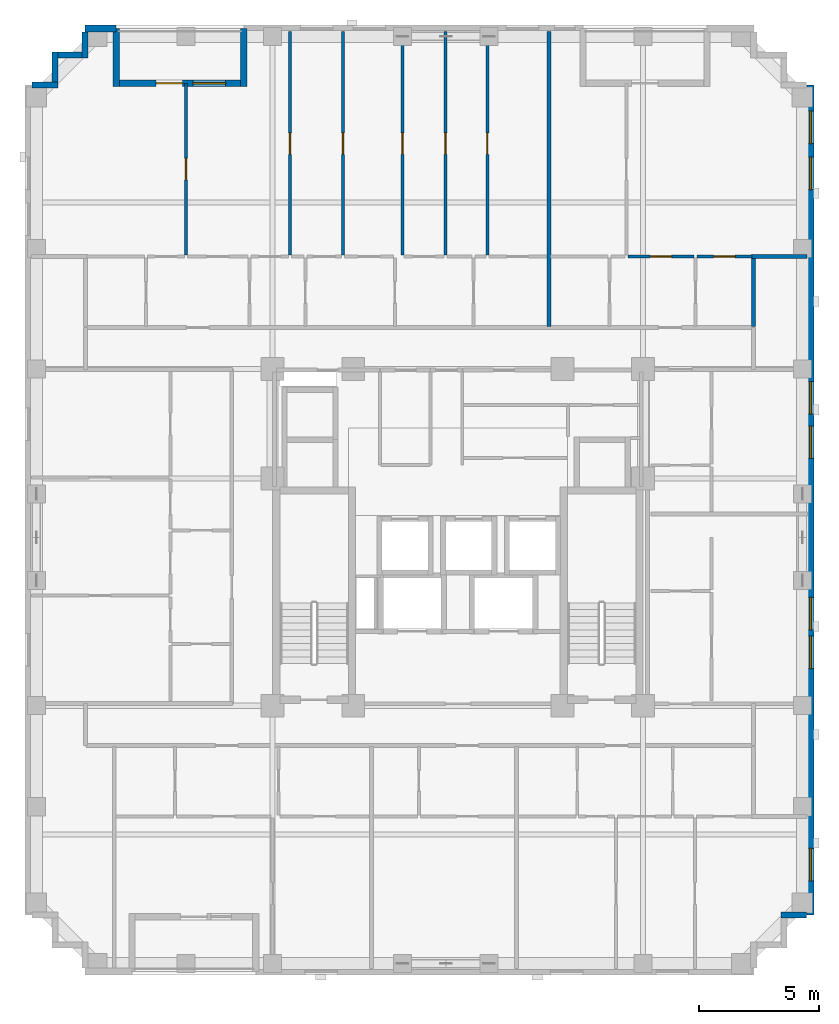
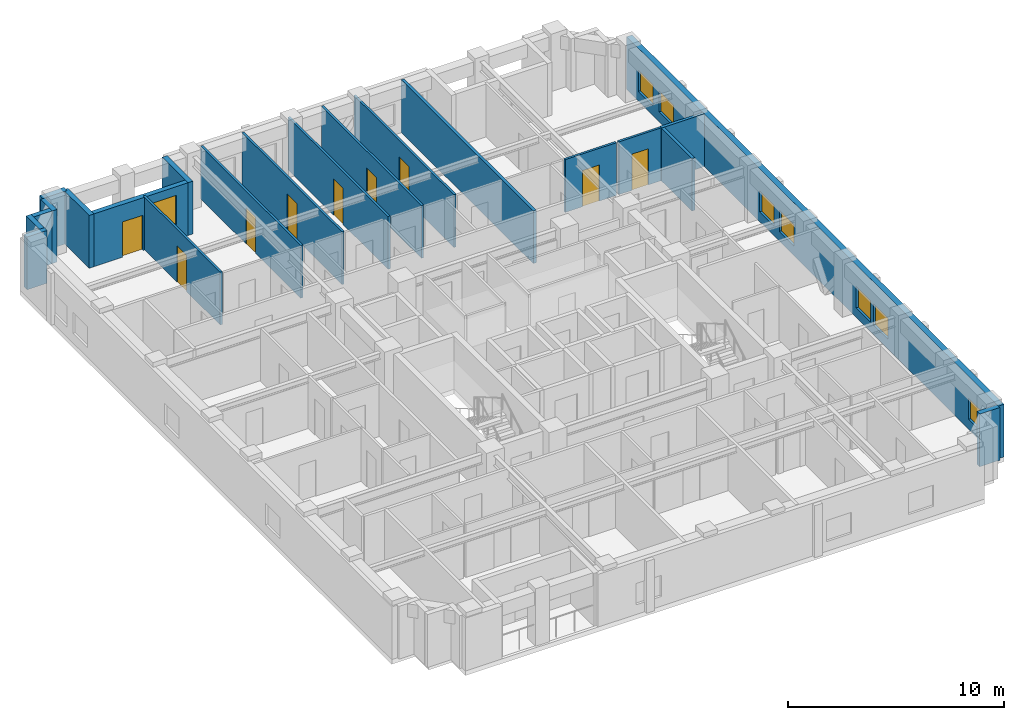
# One storey, part 7 of 11: 21 walls, 9 doors, 8 windows, 17 openings.
"""IFC4 building model written with IfcOpenShell, lengths in metres."""

from ifc_helpers import new_model, si_unit, derived_unit, direction, frame, frame_2d, origin, place, context, subcontext, project, spatial, rectangle, extrude, material, layer, layer_set, type_object, element, fill, save


model = new_model("IFC4")

# Units and contexts
model_context = context("Model", 3, precision=1e-05, world=origin(), true_north=direction((0.0, 1.0)))
body_context = subcontext(model_context, "Body", "Model", "MODEL_VIEW")
ifc_project = project(units=[si_unit("LENGTHUNIT", "METRE"), si_unit("AREAUNIT", "SQUARE_METRE"), si_unit("VOLUMEUNIT", "CUBIC_METRE"), si_unit("PLANEANGLEUNIT", "RADIAN"), si_unit("MASSUNIT", "GRAM", prefix="KILO"), derived_unit("THERMALTRANSMITTANCEUNIT", [(si_unit("MASSUNIT", "GRAM", prefix="KILO"), 1), (si_unit("TIMEUNIT", "SECOND"), -3), (si_unit("THERMODYNAMICTEMPERATUREUNIT", "KELVIN"), -1)])], contexts=[model_context])

# Site, building, storey
site_placement = place(None, origin())
site = spatial("IfcSite", under=ifc_project, at=site_placement, CompositionType="ELEMENT")
building_placement = place(site_placement, origin())
building = spatial("IfcBuilding", under=site, at=building_placement, Name="Korrvale Station Residences", CompositionType="ELEMENT")
storey_placement = place(building_placement, frame((0.0, 0.0, 137.39990234375)))
storey = spatial("IfcBuildingStorey", under=building, at=storey_placement, Name="L39", CompositionType="ELEMENT", Elevation=137.39990234375)

# Wall
ifc_material_1 = material(Name="Precast concrete C45/55", Category="concrete")
ifc_layer_1 = layer(ifc_material_1, 0.260009765625, Name="Precast concrete C45/55")
ifc_layer_set_1 = layer_set([ifc_layer_1], Name="Precast concrete C45/55")
wall_type_1 = type_object("IfcWallType", Name="WAL-EXT-LOG260", PredefinedType="SOLIDWALL", material=ifc_layer_set_1)
wall_1_placement = place(storey_placement, frame((11.300048828125, 43.139892578125, 0.0), z_axis=(0.0, 0.0, 1.0), x_axis=(0.0, -1.0, 0.0)))
element("IfcWall", 1, at=wall_1_placement, inside=storey, type_object=wall_type_1, Name="L39 Recessed Loggia Wall BAL-L39-N2-L", PredefinedType="SOLIDWALL", context=body_context, shape_type="SweptSolid", body=[
    extrude(rectangle(XDim=2.39990234375, YDim=0.260009765625, at=frame_2d((1.199951171875, 0.0))), origin(), (0.0, 0.0, 1.0), 2.989990234375),
])

# Wall, openings, door, window
wall_2_placement = place(storey_placement, frame((11.43408203125, 40.8701171875, 0.0), z_axis=(0.0, 0.0, 1.0), x_axis=(1.0, 0.0, 0.0)))
wall_2 = element("IfcWall", 2, at=wall_2_placement, inside=storey, type_object=wall_type_1, Name="L39 Recessed Loggia Wall BAL-L39-N2-B", PredefinedType="SOLIDWALL", context=body_context, shape_type="SweptSolid", body=[
    extrude(rectangle(XDim=5.031982421875, YDim=0.260009765625, at=frame_2d((2.51611328125, 0.0))), origin(), (0.0, 0.0, 1.0), 2.989990234375),
])
opening_1_placement = place(wall_2_placement, frame((1.52587890625, 0.0, 0.0)))
opening_1 = element("IfcOpeningElement", 3, at=opening_1_placement, cuts=wall_2, Name="Opening BD-01", PredefinedType="OPENING", context=body_context, shape_type="SweptSolid", body=[
    extrude(rectangle(XDim=1.10009765625, YDim=2.0, at=frame_2d((0.550048828125, 1.0))), frame((0.0, 0.14013671875, 0.0), z_axis=(0.0, -1.0, 0.0), x_axis=(1.0, 0.0, 0.0)), (0.0, 0.0, 1.0), 0.280029296875),
])
opening_2_placement = place(wall_2_placement, frame((3.06103515625, 0.0, 0.85009765625)))
opening_2 = element("IfcOpeningElement", 4, at=opening_2_placement, cuts=wall_2, Name="Opening W-06", PredefinedType="OPENING", context=body_context, shape_type="SweptSolid", body=[
    extrude(rectangle(XDim=1.35009765625, YDim=1.64990234375, at=frame_2d((0.675048828125, 0.824951171875))), frame((0.0, 0.14013671875, 0.0), z_axis=(0.0, -1.0, 0.0), x_axis=(1.0, 0.0, 0.0)), (0.0, 0.0, 1.0), 0.280029296875),
])
ifc_material_2 = material(Name="Exterior thermally broken aluminium glazed balcony door", Category="aluminium")
door_type_1 = type_object("IfcDoorType", Name="DR-EXT-BAL", OperationType="NOTDEFINED", PredefinedType="DOOR", material=ifc_material_2)
door_1_placement = place(opening_1_placement, origin())
door_1 = element("IfcDoor", 5, at=door_1_placement, inside=storey, type_object=door_type_1, Name="L39 Loggia Balcony Door BAL-L39-N2", OperationType="SINGLE_SWING_RIGHT", OverallHeight=2.0, OverallWidth=1.10009765625, PredefinedType="DOOR", context=body_context, shape_type="SweptSolid", body=[
    extrude(rectangle(XDim=1.10009765625, YDim=2.0, at=frame_2d((0.550048828125, 1.0))), frame((0.0, 0.02490234375, 0.0), z_axis=(0.0, -1.0, 0.0), x_axis=(1.0, 0.0, 0.0)), (0.0, 0.0, 1.0), 0.050048828125),
])
fill(opening_1, door_1)
ifc_material_3 = material(Name="Thermally broken aluminium frame with triple low-e glazing", Category="aluminium")
window_type_1 = type_object("IfcWindowType", Name="WIN-W06", PartitioningType="SINGLE_PANEL", PredefinedType="WINDOW", material=ifc_material_3)
window_1_placement = place(opening_2_placement, origin())
window_1 = element("IfcWindow", 6, at=window_1_placement, inside=storey, type_object=window_type_1, Name="L39 Punched Window 08", OverallHeight=1.64990234375, OverallWidth=1.35009765625, PartitioningType="SINGLE_PANEL", PredefinedType="WINDOW", context=body_context, shape_type="SweptSolid", body=[
    extrude(rectangle(XDim=1.35009765625, YDim=1.64990234375, at=frame_2d((0.675048828125, 0.824951171875))), frame((0.0, 0.030029296875, 0.0), z_axis=(0.0, -1.0, 0.0), x_axis=(1.0, 0.0, 0.0)), (0.0, 0.0, 1.0), 0.06005859375),
])
fill(opening_2, window_1)

# Walls
wall_3_placement = place(storey_placement, frame((16.60009765625, 40.739990234375, 0.0), z_axis=(0.0, 0.0, 1.0), x_axis=(0.0, 1.0, 0.0)))
element("IfcWall", 7, at=wall_3_placement, inside=storey, type_object=wall_type_1, Name="L39 Recessed Loggia Wall BAL-L39-N2-R", PredefinedType="SOLIDWALL", context=body_context, shape_type="SweptSolid", body=[
    extrude(rectangle(XDim=2.39990234375, YDim=0.260009765625, at=frame_2d((1.199951171875, 0.0))), origin(), (0.0, 0.0, 1.0), 2.989990234375),
])
wall_4_placement = place(storey_placement, frame((7.802001953125, 40.800048828125, 0.0), z_axis=(0.0, 0.0, 1.0), x_axis=(1.0, 0.0, 0.0)))
element("IfcWall", 8, at=wall_4_placement, inside=storey, type_object=wall_type_1, Name="L39 Serrated Corner Precast Step NW-1", PredefinedType="SOLIDWALL", context=body_context, shape_type="SweptSolid", body=[
    extrude(rectangle(XDim=1.077880859375, YDim=0.260009765625, at=frame_2d((0.5390625, 0.0))), origin(), (0.0, 0.0, 1.0), 2.989990234375),
])
wall_5_placement = place(storey_placement, frame((8.75, 40.931884765625, 0.0), z_axis=(0.0, 0.0, 1.0), x_axis=(0.0, 1.0, 0.0)))
element("IfcWall", 9, at=wall_5_placement, inside=storey, type_object=wall_type_1, Name="L39 Serrated Corner Precast Step NW-2", PredefinedType="SOLIDWALL", context=body_context, shape_type="SweptSolid", body=[
    extrude(rectangle(XDim=1.248046875, YDim=0.260009765625, at=frame_2d((0.6240234375, 0.0))), origin(), (0.0, 0.0, 1.0), 2.989990234375),
])
wall_6_placement = place(storey_placement, frame((8.882080078125, 42.050048828125, 0.0), z_axis=(0.0, 0.0, 1.0), x_axis=(1.0, 0.0, 0.0)))
element("IfcWall", 10, at=wall_6_placement, inside=storey, type_object=wall_type_1, Name="L39 Serrated Corner Precast Step NW-3", PredefinedType="SOLIDWALL", context=body_context, shape_type="SweptSolid", body=[
    extrude(rectangle(XDim=0.98583984375, YDim=0.260009765625, at=frame_2d((0.492919921875, 0.0))), origin(), (0.0, 0.0, 1.0), 2.989990234375),
])
for number, where, z_axis, x_axis, name in (
    (11, (10.0, 41.919921875, 0.0), (0.0, 0.0, 1.0), (0.0, 1.0, 0.0), "L39 Serrated Corner Precast Step NW-4"),
    (12, (39.998046875, 6.300048828125, 0.0), (0.0, 0.0, 1.0), (-1.0, 0.0, 0.0), "L39 Serrated Corner Precast Step SE-1"),
):
    element("IfcWall", number, at=place(storey_placement, frame(where, z_axis=z_axis, x_axis=x_axis)), inside=storey, type_object=wall_type_1, Name=name, PredefinedType="SOLIDWALL", context=body_context, shape_type="SweptSolid", body=[
        extrude(rectangle(XDim=1.078125, YDim=0.260009765625, at=frame_2d((0.5390625, 0.0))), origin(), (0.0, 0.0, 1.0), 2.989990234375),
    ])
ifc_layer_2 = layer(ifc_material_1, 0.300048828125, Name="Precast concrete C45/55")
ifc_layer_set_2 = layer_set([ifc_layer_2], Name="Precast concrete C45/55")
wall_type_2 = type_object("IfcWallType", Name="WAL-EXT-PC300", PredefinedType="SOLIDWALL", material=ifc_layer_set_2)
wall_7_placement = place(storey_placement, frame((10.0, 43.14990234375, 0.0), z_axis=(0.0, 0.0, 1.0), x_axis=(1.0, 0.0, 0.0)))
element("IfcWall", 13, at=wall_7_placement, inside=storey, type_object=wall_type_2, Name="L39 North Exterior Precast Wall 1", PredefinedType="SOLIDWALL", context=body_context, shape_type="SweptSolid", body=[
    extrude(rectangle(XDim=1.300048828125, YDim=0.300048828125, at=frame_2d((0.64990234375, 0.0))), origin(), (0.0, 0.0, 1.0), 2.989990234375),
])

# Wall, openings, windows
wall_8_placement = place(storey_placement, frame((40.14990234375, 40.800048828125, 0.0), z_axis=(0.0, 0.0, 1.0), x_axis=(0.0, -1.0, 0.0)))
wall_8 = element("IfcWall", 14, at=wall_8_placement, inside=storey, type_object=wall_type_2, Name="L39 East Exterior Precast Wall 1", PredefinedType="SOLIDWALL", context=body_context, shape_type="SweptSolid", body=[
    extrude(rectangle(XDim=34.5, YDim=0.300048828125, at=frame_2d((17.25, 0.0))), origin(), (0.0, 0.0, 1.0), 2.989990234375),
])
opening_3_placement = place(wall_8_placement, frame((31.72509765625, 0.0, 0.550048828125)))
opening_3 = element("IfcOpeningElement", 15, at=opening_3_placement, cuts=wall_8, Name="Opening W-10", PredefinedType="OPENING", context=body_context, shape_type="SweptSolid", body=[
    extrude(rectangle(XDim=1.35009765625, YDim=1.199951171875, at=frame_2d((0.675048828125, 0.60009765625))), frame((0.0, 0.16015625, 0.0), z_axis=(0.0, -1.0, 0.0), x_axis=(1.0, 0.0, 0.0)), (0.0, 0.0, 1.0), 0.320068359375),
])
opening_4_placement = place(wall_8_placement, frame((3.0, 0.0, 0.550048828125)))
opening_4 = element("IfcOpeningElement", 16, at=opening_4_placement, cuts=wall_8, Name="Opening W-10", PredefinedType="OPENING", context=body_context, shape_type="SweptSolid", body=[
    extrude(rectangle(XDim=1.35009765625, YDim=1.199951171875, at=frame_2d((0.675048828125, 0.60009765625))), frame((0.0, 0.16015625, 0.0), z_axis=(0.0, -1.0, 0.0), x_axis=(1.0, 0.0, 0.0)), (0.0, 0.0, 1.0), 0.320068359375),
])
opening_5_placement = place(wall_8_placement, frame((1.0849609375, 0.0, 0.550048828125)))
opening_5 = element("IfcOpeningElement", 17, at=opening_5_placement, cuts=wall_8, Name="Opening W-10", PredefinedType="OPENING", context=body_context, shape_type="SweptSolid", body=[
    extrude(rectangle(XDim=1.35009765625, YDim=1.199951171875, at=frame_2d((0.675048828125, 0.60009765625))), frame((0.0, 0.16015625, 0.0), z_axis=(0.0, -1.0, 0.0), x_axis=(1.0, 0.0, 0.0)), (0.0, 0.0, 1.0), 0.320068359375),
])
opening_6_placement = place(wall_8_placement, frame((21.300048828125, 0.0, 0.550048828125)))
opening_6 = element("IfcOpeningElement", 18, at=opening_6_placement, cuts=wall_8, Name="Opening W-10", PredefinedType="OPENING", context=body_context, shape_type="SweptSolid", body=[
    extrude(rectangle(XDim=1.35009765625, YDim=1.199951171875, at=frame_2d((0.675048828125, 0.60009765625))), frame((0.0, 0.16015625, 0.0), z_axis=(0.0, -1.0, 0.0), x_axis=(1.0, 0.0, 0.0)), (0.0, 0.0, 1.0), 0.320068359375),
])
opening_7_placement = place(wall_8_placement, frame((22.909912109375, 0.0, 0.550048828125)))
opening_7 = element("IfcOpeningElement", 19, at=opening_7_placement, cuts=wall_8, Name="Opening W-10", PredefinedType="OPENING", context=body_context, shape_type="SweptSolid", body=[
    extrude(rectangle(XDim=1.35009765625, YDim=1.199951171875, at=frame_2d((0.675048828125, 0.60009765625))), frame((0.0, 0.16015625, 0.0), z_axis=(0.0, -1.0, 0.0), x_axis=(1.0, 0.0, 0.0)), (0.0, 0.0, 1.0), 0.320068359375),
])
opening_8_placement = place(wall_8_placement, frame((14.175048828125, 0.0, 0.550048828125)))
opening_8 = element("IfcOpeningElement", 20, at=opening_8_placement, cuts=wall_8, Name="Opening W-10", PredefinedType="OPENING", context=body_context, shape_type="SweptSolid", body=[
    extrude(rectangle(XDim=1.35009765625, YDim=1.199951171875, at=frame_2d((0.675048828125, 0.60009765625))), frame((0.0, 0.16015625, 0.0), z_axis=(0.0, -1.0, 0.0), x_axis=(1.0, 0.0, 0.0)), (0.0, 0.0, 1.0), 0.320068359375),
])
opening_9_placement = place(wall_8_placement, frame((12.3349609375, 0.0, 0.550048828125)))
opening_9 = element("IfcOpeningElement", 21, at=opening_9_placement, cuts=wall_8, Name="Opening W-10", PredefinedType="OPENING", context=body_context, shape_type="SweptSolid", body=[
    extrude(rectangle(XDim=1.35009765625, YDim=1.199951171875, at=frame_2d((0.675048828125, 0.60009765625))), frame((0.0, 0.16015625, 0.0), z_axis=(0.0, -1.0, 0.0), x_axis=(1.0, 0.0, 0.0)), (0.0, 0.0, 1.0), 0.320068359375),
])
window_type_2 = type_object("IfcWindowType", Name="WIN-W10", PartitioningType="SINGLE_PANEL", PredefinedType="WINDOW", material=ifc_material_3)
window_2_placement = place(opening_3_placement, origin())
window_2 = element("IfcWindow", 22, at=window_2_placement, inside=storey, type_object=window_type_2, Name="L39 Punched Window 05", OverallHeight=1.199951171875, OverallWidth=1.35009765625, PartitioningType="SINGLE_PANEL", PredefinedType="WINDOW", context=body_context, shape_type="SweptSolid", body=[
    extrude(rectangle(XDim=1.35009765625, YDim=1.199951171875, at=frame_2d((0.675048828125, 0.60009765625))), frame((0.0, 0.030029296875, 0.0), z_axis=(0.0, -1.0, 0.0), x_axis=(1.0, 0.0, 0.0)), (0.0, 0.0, 1.0), 0.06005859375),
])
fill(opening_3, window_2)
window_3_placement = place(opening_4_placement, origin())
window_3 = element("IfcWindow", 23, at=window_3_placement, inside=storey, type_object=window_type_2, Name="L39 Punched Window 13", OverallHeight=1.199951171875, OverallWidth=1.35009765625, PartitioningType="SINGLE_PANEL", PredefinedType="WINDOW", context=body_context, shape_type="SweptSolid", body=[
    extrude(rectangle(XDim=1.35009765625, YDim=1.199951171875, at=frame_2d((0.675048828125, 0.60009765625))), frame((0.0, 0.030029296875, 0.0), z_axis=(0.0, -1.0, 0.0), x_axis=(1.0, 0.0, 0.0)), (0.0, 0.0, 1.0), 0.06005859375),
])
fill(opening_4, window_3)
window_4_placement = place(opening_5_placement, origin())
window_4 = element("IfcWindow", 24, at=window_4_placement, inside=storey, type_object=window_type_2, Name="L39 Punched Window 14", OverallHeight=1.199951171875, OverallWidth=1.35009765625, PartitioningType="SINGLE_PANEL", PredefinedType="WINDOW", context=body_context, shape_type="SweptSolid", body=[
    extrude(rectangle(XDim=1.35009765625, YDim=1.199951171875, at=frame_2d((0.675048828125, 0.60009765625))), frame((0.0, 0.030029296875, 0.0), z_axis=(0.0, -1.0, 0.0), x_axis=(1.0, 0.0, 0.0)), (0.0, 0.0, 1.0), 0.06005859375),
])
fill(opening_5, window_4)
window_5_placement = place(opening_6_placement, origin())
window_5 = element("IfcWindow", 25, at=window_5_placement, inside=storey, type_object=window_type_2, Name="L39 Punched Window 17", OverallHeight=1.199951171875, OverallWidth=1.35009765625, PartitioningType="SINGLE_PANEL", PredefinedType="WINDOW", context=body_context, shape_type="SweptSolid", body=[
    extrude(rectangle(XDim=1.35009765625, YDim=1.199951171875, at=frame_2d((0.675048828125, 0.60009765625))), frame((0.0, 0.030029296875, 0.0), z_axis=(0.0, -1.0, 0.0), x_axis=(1.0, 0.0, 0.0)), (0.0, 0.0, 1.0), 0.06005859375),
])
fill(opening_6, window_5)
window_6_placement = place(opening_7_placement, origin())
window_6 = element("IfcWindow", 26, at=window_6_placement, inside=storey, type_object=window_type_2, Name="L39 Punched Window 18", OverallHeight=1.199951171875, OverallWidth=1.35009765625, PartitioningType="SINGLE_PANEL", PredefinedType="WINDOW", context=body_context, shape_type="SweptSolid", body=[
    extrude(rectangle(XDim=1.35009765625, YDim=1.199951171875, at=frame_2d((0.675048828125, 0.60009765625))), frame((0.0, 0.030029296875, 0.0), z_axis=(0.0, -1.0, 0.0), x_axis=(1.0, 0.0, 0.0)), (0.0, 0.0, 1.0), 0.06005859375),
])
fill(opening_7, window_6)
window_7_placement = place(opening_8_placement, origin())
window_7 = element("IfcWindow", 27, at=window_7_placement, inside=storey, type_object=window_type_2, Name="L39 Punched Window 19", OverallHeight=1.199951171875, OverallWidth=1.35009765625, PartitioningType="SINGLE_PANEL", PredefinedType="WINDOW", context=body_context, shape_type="SweptSolid", body=[
    extrude(rectangle(XDim=1.35009765625, YDim=1.199951171875, at=frame_2d((0.675048828125, 0.60009765625))), frame((0.0, 0.030029296875, 0.0), z_axis=(0.0, -1.0, 0.0), x_axis=(1.0, 0.0, 0.0)), (0.0, 0.0, 1.0), 0.06005859375),
])
fill(opening_8, window_7)
window_8_placement = place(opening_9_placement, origin())
window_8 = element("IfcWindow", 28, at=window_8_placement, inside=storey, type_object=window_type_2, Name="L39 Punched Window 20", OverallHeight=1.199951171875, OverallWidth=1.35009765625, PartitioningType="SINGLE_PANEL", PredefinedType="WINDOW", context=body_context, shape_type="SweptSolid", body=[
    extrude(rectangle(XDim=1.35009765625, YDim=1.199951171875, at=frame_2d((0.675048828125, 0.60009765625))), frame((0.0, 0.030029296875, 0.0), z_axis=(0.0, -1.0, 0.0), x_axis=(1.0, 0.0, 0.0)), (0.0, 0.0, 1.0), 0.06005859375),
])
fill(opening_9, window_8)

# Wall, opening, door
ifc_material_4 = material(Name="Acoustic steel-stud gypsum board partition", Category="steel")
ifc_layer_3 = layer(ifc_material_4, 0.1201171875, Name="Acoustic steel-stud gypsum board partition")
ifc_layer_set_3 = layer_set([ifc_layer_3], Name="Acoustic steel-stud gypsum board partition")
wall_type_3 = type_object("IfcWallType", Name="WAL-PART-125", PredefinedType="PARTITIONING", material=ifc_layer_set_3)
wall_9_placement = place(storey_placement, frame((14.199951171875, 33.72998046875, 0.0), z_axis=(0.0, 0.0, 1.0), x_axis=(0.0, 1.0, 0.0)))
wall_9 = element("IfcWall", 29, at=wall_9_placement, inside=storey, type_object=wall_type_3, Name="L39 Suite Partition U04-V67", PredefinedType="PARTITIONING", context=body_context, shape_type="SweptSolid", body=[
    extrude(rectangle(XDim=7.14013671875, YDim=0.1201171875, at=frame_2d((3.570068359375, 0.0))), origin(), (0.0, 0.0, 1.0), 2.989990234375),
])
opening_10_placement = place(wall_9_placement, frame((3.1201171875, 0.0, 0.0)))
opening_10 = element("IfcOpeningElement", 30, at=opening_10_placement, cuts=wall_9, Name="Opening DI-900", PredefinedType="OPENING", context=body_context, shape_type="SweptSolid", body=[
    extrude(rectangle(XDim=0.89990234375, YDim=2.050048828125, at=frame_2d((0.449951171875, 1.02490234375))), frame((0.0, 0.070068359375, 0.0), z_axis=(0.0, -1.0, 0.0), x_axis=(1.0, 0.0, 0.0)), (0.0, 0.0, 1.0), 0.14013671875),
])
ifc_material_5 = material(Name="Painted solid-core timber interior room door", Category="wood")
door_type_2 = type_object("IfcDoorType", Name="DR-INT-900", OperationType="NOTDEFINED", PredefinedType="DOOR", material=ifc_material_5)
door_2_placement = place(opening_10_placement, origin())
door_2 = element("IfcDoor", 31, at=door_2_placement, inside=storey, type_object=door_type_2, Name="L39 Apartment 2BR L39-U04 Living and Dining Room Door", OperationType="SINGLE_SWING_LEFT", OverallHeight=2.050048828125, OverallWidth=0.89990234375, PredefinedType="DOOR", context=body_context, shape_type="SweptSolid", body=[
    extrude(rectangle(XDim=0.89990234375, YDim=2.050048828125, at=frame_2d((0.449951171875, 1.02490234375))), frame((0.0, 0.02490234375, 0.0), z_axis=(0.0, -1.0, 0.0), x_axis=(1.0, 0.0, 0.0)), (0.0, 0.0, 1.0), 0.050048828125),
])
fill(opening_10, door_2)

wall_10_placement = place(storey_placement, frame((18.52001953125, 33.72998046875, 0.0), z_axis=(0.0, 0.0, 1.0), x_axis=(0.0, 1.0, 0.0)))
wall_10 = element("IfcWall", 32, at=wall_10_placement, inside=storey, type_object=wall_type_3, Name="L39 Suite Partition U04-V78", PredefinedType="PARTITIONING", context=body_context, shape_type="SweptSolid", body=[
    extrude(rectangle(XDim=9.2900390625, YDim=0.1201171875, at=frame_2d((4.64501953125, 0.0))), origin(), (0.0, 0.0, 1.0), 2.989990234375),
])
opening_11_placement = place(wall_10_placement, frame((4.179931640625, 0.0, 0.0)))
opening_11 = element("IfcOpeningElement", 33, at=opening_11_placement, cuts=wall_10, Name="Opening DI-900", PredefinedType="OPENING", context=body_context, shape_type="SweptSolid", body=[
    extrude(rectangle(XDim=0.89990234375, YDim=2.050048828125, at=frame_2d((0.449951171875, 1.02490234375))), frame((0.0, 0.070068359375, 0.0), z_axis=(0.0, -1.0, 0.0), x_axis=(1.0, 0.0, 0.0)), (0.0, 0.0, 1.0), 0.14013671875),
])
door_3_placement = place(opening_11_placement, origin())
door_3 = element("IfcDoor", 34, at=door_3_placement, inside=storey, type_object=door_type_2, Name="L39 Apartment 2BR L39-U04 Formal Dining Room Door", OperationType="SINGLE_SWING_RIGHT", OverallHeight=2.050048828125, OverallWidth=0.89990234375, PredefinedType="DOOR", context=body_context, shape_type="SweptSolid", body=[
    extrude(rectangle(XDim=0.89990234375, YDim=2.050048828125, at=frame_2d((0.449951171875, 1.02490234375))), frame((0.0, 0.02490234375, 0.0), z_axis=(0.0, -1.0, 0.0), x_axis=(1.0, 0.0, 0.0)), (0.0, 0.0, 1.0), 0.050048828125),
])
fill(opening_11, door_3)

wall_11_placement = place(storey_placement, frame((20.72705078125, 33.72998046875, 0.0), z_axis=(0.0, 0.0, 1.0), x_axis=(0.0, 1.0, 0.0)))
wall_11 = element("IfcWall", 35, at=wall_11_placement, inside=storey, type_object=wall_type_3, Name="L39 Suite Partition U04-V89", PredefinedType="PARTITIONING", context=body_context, shape_type="SweptSolid", body=[
    extrude(rectangle(XDim=9.2900390625, YDim=0.1201171875, at=frame_2d((4.64501953125, 0.0))), origin(), (0.0, 0.0, 1.0), 2.989990234375),
])
opening_12_placement = place(wall_11_placement, frame((4.179931640625, 0.0, 0.0)))
opening_12 = element("IfcOpeningElement", 36, at=opening_12_placement, cuts=wall_11, Name="Opening DI-900", PredefinedType="OPENING", context=body_context, shape_type="SweptSolid", body=[
    extrude(rectangle(XDim=0.89990234375, YDim=2.050048828125, at=frame_2d((0.449951171875, 1.02490234375))), frame((0.0, 0.070068359375, 0.0), z_axis=(0.0, -1.0, 0.0), x_axis=(1.0, 0.0, 0.0)), (0.0, 0.0, 1.0), 0.14013671875),
])
door_4_placement = place(opening_12_placement, origin())
door_4 = element("IfcDoor", 37, at=door_4_placement, inside=storey, type_object=door_type_2, Name="L39 Apartment 2BR L39-U04 Home Study Room Door", OperationType="SINGLE_SWING_LEFT", OverallHeight=2.050048828125, OverallWidth=0.89990234375, PredefinedType="DOOR", context=body_context, shape_type="SweptSolid", body=[
    extrude(rectangle(XDim=0.89990234375, YDim=2.050048828125, at=frame_2d((0.449951171875, 1.02490234375))), frame((0.0, 0.02490234375, 0.0), z_axis=(0.0, -1.0, 0.0), x_axis=(1.0, 0.0, 0.0)), (0.0, 0.0, 1.0), 0.050048828125),
])
fill(opening_12, door_4)

wall_12_placement = place(storey_placement, frame((23.199951171875, 33.72998046875, 0.0), z_axis=(0.0, 0.0, 1.0), x_axis=(0.0, 1.0, 0.0)))
wall_12 = element("IfcWall", 38, at=wall_12_placement, inside=storey, type_object=wall_type_3, Name="L39 Suite Partition U04-V910", PredefinedType="PARTITIONING", context=body_context, shape_type="SweptSolid", body=[
    extrude(rectangle(XDim=9.2900390625, YDim=0.1201171875, at=frame_2d((4.64501953125, 0.0))), origin(), (0.0, 0.0, 1.0), 2.989990234375),
])
opening_13_placement = place(wall_12_placement, frame((4.179931640625, 0.0, 0.0)))
opening_13 = element("IfcOpeningElement", 39, at=opening_13_placement, cuts=wall_12, Name="Opening DI-900", PredefinedType="OPENING", context=body_context, shape_type="SweptSolid", body=[
    extrude(rectangle(XDim=0.89990234375, YDim=2.050048828125, at=frame_2d((0.449951171875, 1.02490234375))), frame((0.0, 0.070068359375, 0.0), z_axis=(0.0, -1.0, 0.0), x_axis=(1.0, 0.0, 0.0)), (0.0, 0.0, 1.0), 0.14013671875),
])
door_5_placement = place(opening_13_placement, origin())
door_5 = element("IfcDoor", 40, at=door_5_placement, inside=storey, type_object=door_type_2, Name="L39 Apartment 2BR L39-U04 Bedroom 1 Door", OperationType="SINGLE_SWING_RIGHT", OverallHeight=2.050048828125, OverallWidth=0.89990234375, PredefinedType="DOOR", context=body_context, shape_type="SweptSolid", body=[
    extrude(rectangle(XDim=0.89990234375, YDim=2.050048828125, at=frame_2d((0.449951171875, 1.02490234375))), frame((0.0, 0.02490234375, 0.0), z_axis=(0.0, -1.0, 0.0), x_axis=(1.0, 0.0, 0.0)), (0.0, 0.0, 1.0), 0.050048828125),
])
fill(opening_13, door_5)

wall_13_placement = place(storey_placement, frame((24.985107421875, 33.72998046875, 0.0), z_axis=(0.0, 0.0, 1.0), x_axis=(0.0, 1.0, 0.0)))
wall_13 = element("IfcWall", 41, at=wall_13_placement, inside=storey, type_object=wall_type_3, Name="L39 Suite Partition U04-V1011", PredefinedType="PARTITIONING", context=body_context, shape_type="SweptSolid", body=[
    extrude(rectangle(XDim=9.2900390625, YDim=0.1201171875, at=frame_2d((4.64501953125, 0.0))), origin(), (0.0, 0.0, 1.0), 2.989990234375),
])
opening_14_placement = place(wall_13_placement, frame((4.179931640625, 0.0, 0.0)))
opening_14 = element("IfcOpeningElement", 42, at=opening_14_placement, cuts=wall_13, Name="Opening DI-900", PredefinedType="OPENING", context=body_context, shape_type="SweptSolid", body=[
    extrude(rectangle(XDim=0.89990234375, YDim=2.050048828125, at=frame_2d((0.449951171875, 1.02490234375))), frame((0.0, 0.070068359375, 0.0), z_axis=(0.0, -1.0, 0.0), x_axis=(1.0, 0.0, 0.0)), (0.0, 0.0, 1.0), 0.14013671875),
])
door_6_placement = place(opening_14_placement, origin())
door_6 = element("IfcDoor", 43, at=door_6_placement, inside=storey, type_object=door_type_2, Name="L39 Apartment 2BR L39-U04 Dressing Closet 1 Door", OperationType="SINGLE_SWING_LEFT", OverallHeight=2.050048828125, OverallWidth=0.89990234375, PredefinedType="DOOR", context=body_context, shape_type="SweptSolid", body=[
    extrude(rectangle(XDim=0.89990234375, YDim=2.050048828125, at=frame_2d((0.449951171875, 1.02490234375))), frame((0.0, 0.02490234375, 0.0), z_axis=(0.0, -1.0, 0.0), x_axis=(1.0, 0.0, 0.0)), (0.0, 0.0, 1.0), 0.050048828125),
])
fill(opening_14, door_6)

wall_14_placement = place(storey_placement, frame((26.72509765625, 33.72998046875, 0.0), z_axis=(0.0, 0.0, 1.0), x_axis=(0.0, 1.0, 0.0)))
wall_14 = element("IfcWall", 44, at=wall_14_placement, inside=storey, type_object=wall_type_3, Name="L39 Suite Partition U04-V1112", PredefinedType="PARTITIONING", context=body_context, shape_type="SweptSolid", body=[
    extrude(rectangle(XDim=9.2900390625, YDim=0.1201171875, at=frame_2d((4.64501953125, 0.0))), origin(), (0.0, 0.0, 1.0), 2.989990234375),
])
opening_15_placement = place(wall_14_placement, frame((4.179931640625, 0.0, 0.0)))
opening_15 = element("IfcOpeningElement", 45, at=opening_15_placement, cuts=wall_14, Name="Opening DI-900", PredefinedType="OPENING", context=body_context, shape_type="SweptSolid", body=[
    extrude(rectangle(XDim=0.89990234375, YDim=2.050048828125, at=frame_2d((0.449951171875, 1.02490234375))), frame((0.0, 0.070068359375, 0.0), z_axis=(0.0, -1.0, 0.0), x_axis=(1.0, 0.0, 0.0)), (0.0, 0.0, 1.0), 0.14013671875),
])
door_7_placement = place(opening_15_placement, origin())
door_7 = element("IfcDoor", 46, at=door_7_placement, inside=storey, type_object=door_type_2, Name="L39 Apartment 2BR L39-U04 Dressing Closet 2 Door", OperationType="SINGLE_SWING_RIGHT", OverallHeight=2.050048828125, OverallWidth=0.89990234375, PredefinedType="DOOR", context=body_context, shape_type="SweptSolid", body=[
    extrude(rectangle(XDim=0.89990234375, YDim=2.050048828125, at=frame_2d((0.449951171875, 1.02490234375))), frame((0.0, 0.02490234375, 0.0), z_axis=(0.0, -1.0, 0.0), x_axis=(1.0, 0.0, 0.0)), (0.0, 0.0, 1.0), 0.050048828125),
])
fill(opening_15, door_7)

wall_15_placement = place(storey_placement, frame((32.56298828125, 33.669921875, 0.0), z_axis=(0.0, 0.0, 1.0), x_axis=(1.0, 0.0, 0.0)))
wall_15 = element("IfcWall", 47, at=wall_15_placement, inside=storey, type_object=wall_type_3, Name="L39 Suite Partition U05-H14", PredefinedType="PARTITIONING", context=body_context, shape_type="SweptSolid", body=[
    extrude(rectangle(XDim=2.75, YDim=0.1201171875, at=frame_2d((1.375, 0.0))), origin(), (0.0, 0.0, 1.0), 2.989990234375),
])
opening_16_placement = place(wall_15_placement, frame((0.925048828125, 0.0, 0.0)))
opening_16 = element("IfcOpeningElement", 48, at=opening_16_placement, cuts=wall_15, Name="Opening DI-900", PredefinedType="OPENING", context=body_context, shape_type="SweptSolid", body=[
    extrude(rectangle(XDim=0.89990234375, YDim=2.050048828125, at=frame_2d((0.449951171875, 1.02490234375))), frame((0.0, 0.070068359375, 0.0), z_axis=(0.0, -1.0, 0.0), x_axis=(1.0, 0.0, 0.0)), (0.0, 0.0, 1.0), 0.14013671875),
])
door_8_placement = place(opening_16_placement, origin())
door_8 = element("IfcDoor", 49, at=door_8_placement, inside=storey, type_object=door_type_2, Name="L39 Studio Apartment L39-U05 Kitchen Door", OperationType="SINGLE_SWING_LEFT", OverallHeight=2.050048828125, OverallWidth=0.89990234375, PredefinedType="DOOR", context=body_context, shape_type="SweptSolid", body=[
    extrude(rectangle(XDim=0.89990234375, YDim=2.050048828125, at=frame_2d((0.449951171875, 1.02490234375))), frame((0.0, 0.02490234375, 0.0), z_axis=(0.0, -1.0, 0.0), x_axis=(1.0, 0.0, 0.0)), (0.0, 0.0, 1.0), 0.050048828125),
])
fill(opening_16, door_8)

wall_16_placement = place(storey_placement, frame((35.43310546875, 33.669921875, 0.0), z_axis=(0.0, 0.0, 1.0), x_axis=(1.0, 0.0, 0.0)))
wall_16 = element("IfcWall", 50, at=wall_16_placement, inside=storey, type_object=wall_type_3, Name="L39 Suite Partition U05-H24", PredefinedType="PARTITIONING", context=body_context, shape_type="SweptSolid", body=[
    extrude(rectangle(XDim=2.286865234375, YDim=0.1201171875, at=frame_2d((1.1435546875, 0.0))), origin(), (0.0, 0.0, 1.0), 2.989990234375),
])
opening_17_placement = place(wall_16_placement, frame((0.693115234375, 0.0, 0.0)))
opening_17 = element("IfcOpeningElement", 51, at=opening_17_placement, cuts=wall_16, Name="Opening DI-900", PredefinedType="OPENING", context=body_context, shape_type="SweptSolid", body=[
    extrude(rectangle(XDim=0.89990234375, YDim=2.050048828125, at=frame_2d((0.449951171875, 1.02490234375))), frame((0.0, 0.070068359375, 0.0), z_axis=(0.0, -1.0, 0.0), x_axis=(1.0, 0.0, 0.0)), (0.0, 0.0, 1.0), 0.14013671875),
])
door_9_placement = place(opening_17_placement, origin())
door_9 = element("IfcDoor", 52, at=door_9_placement, inside=storey, type_object=door_type_2, Name="L39 Studio Apartment L39-U05 Utility and Laundry Room Door", OperationType="SINGLE_SWING_RIGHT", OverallHeight=2.050048828125, OverallWidth=0.89990234375, PredefinedType="DOOR", context=body_context, shape_type="SweptSolid", body=[
    extrude(rectangle(XDim=0.89990234375, YDim=2.050048828125, at=frame_2d((0.449951171875, 1.02490234375))), frame((0.0, 0.02490234375, 0.0), z_axis=(0.0, -1.0, 0.0), x_axis=(1.0, 0.0, 0.0)), (0.0, 0.0, 1.0), 0.050048828125),
])
fill(opening_17, door_9)

# Walls
ifc_material_6 = material(Name="Fire-rated twin-stud gypsum and mineral wool shaftwall assembly", Category="gypsum")
ifc_layer_4 = layer(ifc_material_6, 0.159912109375, Name="Fire-rated twin-stud gypsum and mineral wool shaftwall assembly")
ifc_layer_set_4 = layer_set([ifc_layer_4], Name="Fire-rated twin-stud gypsum and mineral wool shaftwall assembly")
wall_type_4 = type_object("IfcWallType", Name="WAL-PART-200", PredefinedType="PARTITIONING", material=ifc_layer_set_4)
wall_17_placement = place(storey_placement, frame((37.679931640625, 33.669921875, 0.0), z_axis=(0.0, 0.0, 1.0), x_axis=(1.0, 0.0, 0.0)))
element("IfcWall", 53, at=wall_17_placement, inside=storey, type_object=wall_type_4, Name="L39 Corner Step Wall U05-R", PredefinedType="PARTITIONING", context=body_context, shape_type="SweptSolid", body=[
    extrude(rectangle(XDim=2.340087890625, YDim=0.159912109375, at=frame_2d((1.169921875, 0.0))), origin(), (0.0, 0.0, 1.0), 2.989990234375),
])
wall_18_placement = place(storey_placement, frame((37.780029296875, 30.760009765625, 0.0), z_axis=(0.0, 0.0, 1.0), x_axis=(0.0, 1.0, 0.0)))
element("IfcWall", 54, at=wall_18_placement, inside=storey, type_object=wall_type_4, Name="L39 Corner Step Cheek U05-R", PredefinedType="PARTITIONING", context=body_context, shape_type="SweptSolid", body=[
    extrude(rectangle(XDim=2.909912109375, YDim=0.159912109375, at=frame_2d((1.455078125, 0.0))), origin(), (0.0, 0.0, 1.0), 2.989990234375),
])
wall_19_placement = place(storey_placement, frame((29.282958984375, 30.760009765625, 0.0), z_axis=(0.0, 0.0, 1.0), x_axis=(0.0, 1.0, 0.0)))
element("IfcWall", 55, at=wall_19_placement, inside=storey, type_object=wall_type_4, Name="L39 Demising Wall U05-W", PredefinedType="PARTITIONING", context=body_context, shape_type="SweptSolid", body=[
    extrude(rectangle(XDim=12.260009765625, YDim=0.159912109375, at=frame_2d((6.1298828125, 0.0))), origin(), (0.0, 0.0, 1.0), 2.989990234375),
])

save(model, "model.ifc")
